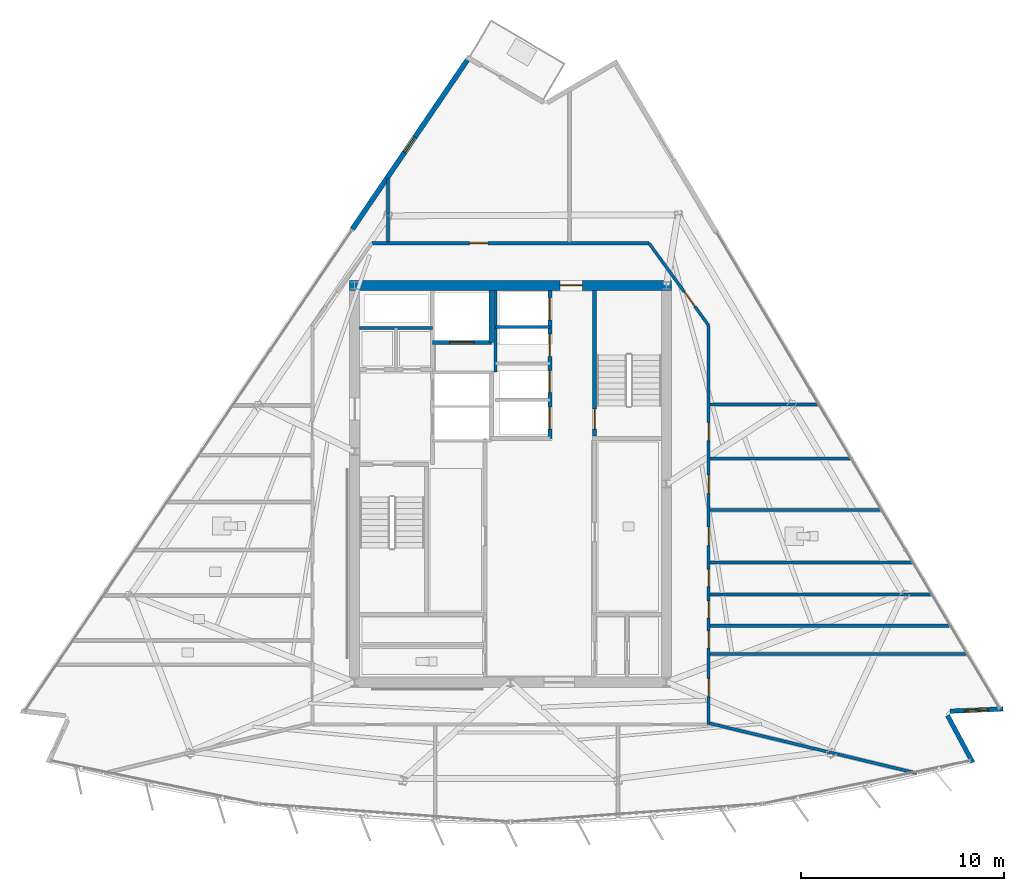
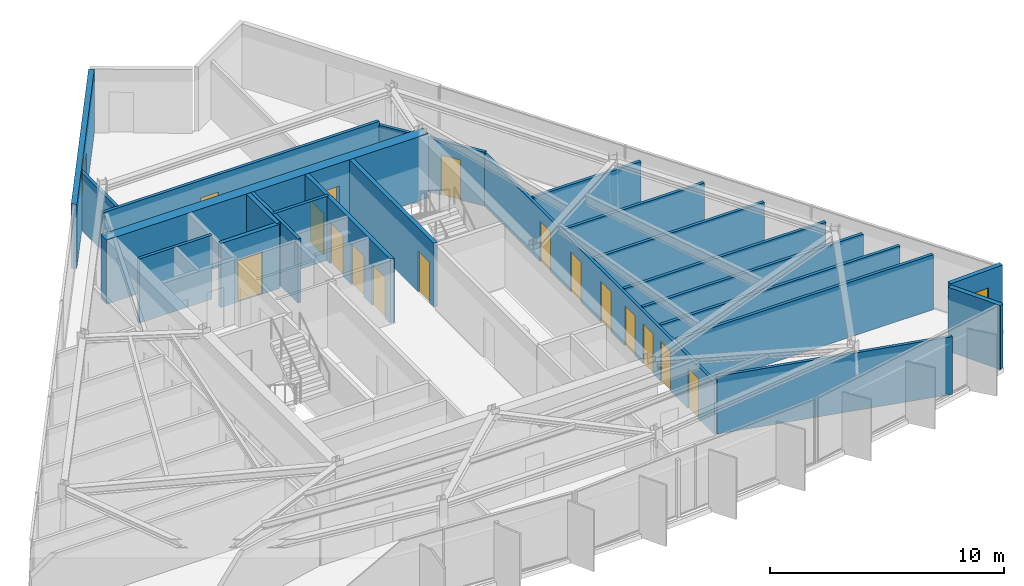
# One storey, part 8 of 13: 23 walls, 16 doors, 2 windows, 18 openings.
"""IFC4 building model written with IfcOpenShell, lengths in metres."""

from ifc_helpers import new_model, si_unit, direction, frame, frame_2d, origin, place, context, subcontext, project, spatial, rectangle, extrude, material, layer, layer_set, type_object, element, fill, save


model = new_model("IFC4")

# Units and contexts
model_context = context("Model", 3, precision=1e-05, world=origin(), true_north=direction((0.0, 1.0)))
body_context = subcontext(model_context, "Body", "Model", "MODEL_VIEW")
ifc_project = project(units=[si_unit("LENGTHUNIT", "METRE"), si_unit("AREAUNIT", "SQUARE_METRE"), si_unit("VOLUMEUNIT", "CUBIC_METRE"), si_unit("PLANEANGLEUNIT", "RADIAN"), si_unit("MASSUNIT", "GRAM", prefix="KILO")], contexts=[model_context])

# Site, building, storey
site_placement = place(None, origin())
site = spatial("IfcSite", under=ifc_project, at=site_placement, CompositionType="ELEMENT")
building_placement = place(site_placement, origin())
building = spatial("IfcBuilding", under=site, at=building_placement, Name="Savorim Split Tower", CompositionType="ELEMENT")
storey_placement = place(building_placement, frame((0.0, 0.0, 254.39990234375)))
storey = spatial("IfcBuildingStorey", under=building, at=storey_placement, Name="L67", CompositionType="ELEMENT", Elevation=254.39990234375)

# Wall, opening, door
ifc_material_1 = material(Name="Concrete C60/75", Category="concrete")
ifc_layer_1 = layer(ifc_material_1, 0.5)
ifc_layer_set_1 = layer_set([ifc_layer_1], Name="WAL-COR-SH500")
wall_type_1 = type_object("IfcWallType", Name="WAL-COR-SH500", PredefinedType="SHEAR", material=ifc_layer_set_1)
wall_1_placement = place(storey_placement, frame((7.949951171875, 10.199951171875, 0.0), z_axis=(0.0, 0.0, 1.0), x_axis=(-1.0, 0.0, 0.0)))
wall_1 = element("IfcWall", 1, at=wall_1_placement, inside=storey, type_object=wall_type_1, Name="L67 Offset Core North Shear Wall", PredefinedType="SHEAR", context=body_context, shape_type="SweptSolid", body=[
    extrude(rectangle(XDim=15.89990234375, YDim=0.5, at=frame_2d((7.949951171875, 0.0))), origin(), (0.0, 0.0, 1.0), 3.35009765625),
])
opening_1_placement = place(wall_1_placement, frame((4.39990234375, 0.0, 0.0)))
opening_1 = element("IfcOpeningElement", 2, at=opening_1_placement, cuts=wall_1, Name="Opening DI-03", PredefinedType="OPENING", context=body_context, shape_type="SweptSolid", body=[
    extrude(rectangle(XDim=1.10009765625, YDim=2.14990234375, at=frame_2d((0.550048828125, 1.074951171875))), frame((0.0, 0.260009765625, 0.0), z_axis=(0.0, -1.0, 0.0), x_axis=(1.0, 0.0, 0.0)), (0.0, 0.0, 1.0), 0.52001953125),
])
ifc_material_2 = material(Name="Timber Fire Door Leaf", Category="wood")
door_type_1 = type_object("IfcDoorType", Name="DOR-FIR-1100", OperationType="NOTDEFINED", PredefinedType="DOOR", material=ifc_material_2)
door_1_placement = place(opening_1_placement, origin())
door_1 = element("IfcDoor", 3, at=door_1_placement, inside=storey, type_object=door_type_1, Name="DOR-L67-COR-NLOB - L67 North Corridor Lobby Fire Door", OperationType="SINGLE_SWING_RIGHT", OverallHeight=2.14990234375, OverallWidth=1.10009765625, PredefinedType="DOOR", context=body_context, shape_type="SweptSolid", body=[
    extrude(rectangle(XDim=1.10009765625, YDim=2.14990234375, at=frame_2d((0.550048828125, 1.074951171875))), frame((0.0, 0.02490234375, 0.0), z_axis=(0.0, -1.0, 0.0), x_axis=(1.0, 0.0, 0.0)), (0.0, 0.0, 1.0), 0.050048828125),
])
fill(opening_1, door_1)

# Wall
ifc_material_3 = material(Name="Precast concrete C40/50", Category="concrete")
ifc_layer_2 = layer(ifc_material_3, 0.219970703125)
ifc_layer_set_2 = layer_set([ifc_layer_2], Name="WAL-EXT-CRN220")
wall_type_2 = type_object("IfcWallType", Name="WAL-EXT-CRN220", PredefinedType="SOLIDWALL", material=ifc_layer_set_2)
wall_2_placement = place(storey_placement, frame((21.58056640625, -11.03955078125, 0.0), z_axis=(0.0, 0.0, 1.0), x_axis=(0.472791303324, -0.881174434208, 0.0)))
element("IfcWall", 4, at=wall_2_placement, inside=storey, type_object=wall_type_2, Name="L67 Notched Corner Facade Wall SE1", PredefinedType="SOLIDWALL", context=body_context, shape_type="SweptSolid", body=[
    extrude(rectangle(XDim=2.626953125, YDim=0.219970703125, at=frame_2d((1.3134765625, 0.0))), origin(), (0.0, 0.0, 1.0), 3.35009765625),
])

# Wall, opening, window
wall_3_placement = place(storey_placement, frame((24.32421875, -10.71435546875, 0.0), z_axis=(0.0, 0.0, 1.0), x_axis=(-0.999095924753, -0.042512740932, 0.0)))
wall_3 = element("IfcWall", 5, at=wall_3_placement, inside=storey, type_object=wall_type_2, Name="L67 Notched Corner Facade Wall SE", PredefinedType="SOLIDWALL", context=body_context, shape_type="SweptSolid", body=[
    extrude(rectangle(XDim=2.62451171875, YDim=0.219970703125, at=frame_2d((1.312255859375, 0.0))), origin(), (0.0, 0.0, 1.0), 3.35009765625),
])
opening_2_placement = place(wall_3_placement, frame((0.712158203125, 0.0, 0.6201171875)))
opening_2 = element("IfcOpeningElement", 6, at=opening_2_placement, cuts=wall_3, Name="Opening WN-08", PredefinedType="OPENING", context=body_context, shape_type="SweptSolid", body=[
    extrude(rectangle(XDim=1.199951171875, YDim=1.800048828125, at=frame_2d((0.60009765625, 0.89990234375))), frame((0.0, 0.119873046875, 0.0), z_axis=(0.0, -1.0, 0.0), x_axis=(1.0, 0.0, 0.0)), (0.0, 0.0, 1.0), 0.239990234375),
])
ifc_material_4 = material(Name="Low-E Operable Double Glazing", Category="glass")
window_type_1 = type_object("IfcWindowType", Name="WIN-TWR-1200x1800", PartitioningType="SINGLE_PANEL", PredefinedType="WINDOW", material=ifc_material_4)
window_1_placement = place(opening_2_placement, origin())
window_1 = element("IfcWindow", 7, at=window_1_placement, inside=storey, type_object=window_type_1, Name="L67 Operable Corner Window SE", OverallHeight=1.800048828125, OverallWidth=1.199951171875, PartitioningType="SINGLE_PANEL", PredefinedType="WINDOW", context=body_context, shape_type="SweptSolid", body=[
    extrude(rectangle(XDim=1.199951171875, YDim=1.800048828125, at=frame_2d((0.60009765625, 0.89990234375))), frame((0.0, 0.030029296875, 0.0), z_axis=(0.0, -1.0, 0.0), x_axis=(1.0, 0.0, 0.0)), (0.0, 0.0, 1.0), 0.06005859375),
])
fill(opening_2, window_1)

ifc_layer_3 = layer(ifc_material_3, 0.25)
ifc_layer_set_3 = layer_set([ifc_layer_3], Name="WAL-EXT-SPN250")
wall_type_3 = type_object("IfcWallType", Name="WAL-EXT-SPN250", PredefinedType="SOLIDWALL", material=ifc_layer_set_3)
wall_4_placement = place(storey_placement, frame((-7.81689453125, 12.970947265625, 0.0), z_axis=(0.0, 0.0, 1.0), x_axis=(0.562474530687, 0.826814611826, 0.0)))
wall_4 = element("IfcWall", 8, at=wall_4_placement, inside=storey, type_object=wall_type_3, Name="L67 West Operable Window Pier", PredefinedType="SOLIDWALL", context=body_context, shape_type="SweptSolid", body=[
    extrude(rectangle(XDim=10.106689453125, YDim=0.25, at=frame_2d((5.05322265625, 0.0))), origin(), (0.0, 0.0, 1.0), 3.35009765625),
])
opening_3_placement = place(wall_4_placement, frame((4.603515625, 0.0, 0.6201171875)))
opening_3 = element("IfcOpeningElement", 9, at=opening_3_placement, cuts=wall_4, Name="Opening WN-10", PredefinedType="OPENING", context=body_context, shape_type="SweptSolid", body=[
    extrude(rectangle(XDim=0.89990234375, YDim=1.60009765625, at=frame_2d((0.449951171875, 0.800048828125))), frame((0.0, 0.135009765625, 0.0), z_axis=(0.0, -1.0, 0.0), x_axis=(1.0, 0.0, 0.0)), (0.0, 0.0, 1.0), 0.27001953125),
])
window_type_2 = type_object("IfcWindowType", Name="WIN-TWR-900x1600", PartitioningType="SINGLE_PANEL", PredefinedType="WINDOW", material=ifc_material_4)
window_2_placement = place(opening_3_placement, origin())
window_2 = element("IfcWindow", 10, at=window_2_placement, inside=storey, type_object=window_type_2, Name="L67 West Operable Ventilation Window", OverallHeight=1.60009765625, OverallWidth=0.89990234375, PartitioningType="SINGLE_PANEL", PredefinedType="WINDOW", context=body_context, shape_type="SweptSolid", body=[
    extrude(rectangle(XDim=0.89990234375, YDim=1.60009765625, at=frame_2d((0.449951171875, 0.800048828125))), frame((0.0, 0.030029296875, 0.0), z_axis=(0.0, -1.0, 0.0), x_axis=(1.0, 0.0, 0.0)), (0.0, 0.0, 1.0), 0.06005859375),
])
fill(opening_3, window_2)

# Wall, opening, door
ifc_material_5 = material(Name="Concrete C50/60", Category="concrete")
ifc_layer_4 = layer(ifc_material_5, 0.199951171875)
ifc_layer_set_4 = layer_set([ifc_layer_4], Name="WAL-INT-RC200")
wall_type_4 = type_object("IfcWallType", Name="WAL-INT-RC200", PredefinedType="SOLIDWALL", material=ifc_layer_set_4)
wall_5_placement = place(storey_placement, frame((4.14990234375, 2.75, 0.0), z_axis=(0.0, 0.0, 1.0), x_axis=(0.0, 1.0, 0.0)))
wall_5 = element("IfcWall", 11, at=wall_5_placement, inside=storey, type_object=wall_type_4, Name="L67 Structural Shaft Wall W-L67-CR07", PredefinedType="SOLIDWALL", context=body_context, shape_type="SweptSolid", body=[
    extrude(rectangle(XDim=7.199951171875, YDim=0.199951171875, at=frame_2d((3.60009765625, 0.0))), origin(), (0.0, 0.0, 1.0), 3.35009765625),
])
opening_4_placement = place(wall_5_placement, frame((0.35009765625, 0.0, 0.0)))
opening_4 = element("IfcOpeningElement", 12, at=opening_4_placement, cuts=wall_5, Name="Opening DI-04", PredefinedType="OPENING", context=body_context, shape_type="SweptSolid", body=[
    extrude(rectangle(XDim=1.0, YDim=2.14990234375, at=frame_2d((0.5, 1.074951171875))), frame((0.0, 0.10986328125, 0.0), z_axis=(0.0, -1.0, 0.0), x_axis=(1.0, 0.0, 0.0)), (0.0, 0.0, 1.0), 0.219970703125),
])
door_type_2 = type_object("IfcDoorType", Name="DOR-FIR-1000", OperationType="NOTDEFINED", PredefinedType="DOOR", material=ifc_material_2)
door_2_placement = place(opening_4_placement, origin())
door_2 = element("IfcDoor", 13, at=door_2_placement, inside=storey, type_object=door_type_2, Name="DR-L67-ST2 - L67 Stair ST-2 Enclosure Door", OperationType="SINGLE_SWING_RIGHT", OverallHeight=2.14990234375, OverallWidth=1.0, PredefinedType="DOOR", context=body_context, shape_type="SweptSolid", body=[
    extrude(rectangle(XDim=1.0, YDim=2.14990234375, at=frame_2d((0.5, 1.074951171875))), frame((0.0, 0.02490234375, 0.0), z_axis=(0.0, -1.0, 0.0), x_axis=(1.0, 0.0, 0.0)), (0.0, 0.0, 1.0), 0.050048828125),
])
fill(opening_4, door_2)

wall_6_placement = place(storey_placement, frame((-3.85009765625, 7.3798828125, 0.0), z_axis=(0.0, 0.0, 1.0), x_axis=(1.0, 0.0, 0.0)))
wall_6 = element("IfcWall", 14, at=wall_6_placement, inside=storey, type_object=wall_type_4, Name="L67 Partition W-L67-SVLS", PredefinedType="SOLIDWALL", context=body_context, shape_type="SweptSolid", body=[
    extrude(rectangle(XDim=2.900146484375, YDim=0.199951171875, at=frame_2d((1.4501953125, 0.0))), origin(), (0.0, 0.0, 1.0), 3.35009765625),
])
opening_5_placement = place(wall_6_placement, frame((0.85009765625, 0.0, 0.0)))
opening_5 = element("IfcOpeningElement", 15, at=opening_5_placement, cuts=wall_6, Name="Opening LD-SV", PredefinedType="OPENING", context=body_context, shape_type="SweptSolid", body=[
    extrude(rectangle(XDim=1.199951171875, YDim=2.199951171875, at=frame_2d((0.60009765625, 1.10009765625))), frame((0.0, 0.10986328125, 0.0), z_axis=(0.0, -1.0, 0.0), x_axis=(1.0, 0.0, 0.0)), (0.0, 0.0, 1.0), 0.219970703125),
])
ifc_material_6 = material(Name="Charcoal Anodised Aluminium", Category="aluminium")
door_type_3 = type_object("IfcDoorType", Name="DOR-SLD-SV1200", OperationType="NOTDEFINED", PredefinedType="DOOR", material=ifc_material_6)
door_3_placement = place(opening_5_placement, origin())
door_3 = element("IfcDoor", 16, at=door_3_placement, inside=storey, type_object=door_type_3, Name="DR-L67-LD-SVL1 - L67 Service Lift SVL-1 Sliding Landing Door", OperationType="DOUBLE_DOOR_SLIDING", OverallHeight=2.199951171875, OverallWidth=1.199951171875, PredefinedType="DOOR", context=body_context, shape_type="SweptSolid", body=[
    extrude(rectangle(XDim=1.199951171875, YDim=2.199951171875, at=frame_2d((0.60009765625, 1.10009765625))), frame((0.0, 0.02490234375, 0.0), z_axis=(0.0, -1.0, 0.0), x_axis=(1.0, 0.0, 0.0)), (0.0, 0.0, 1.0), 0.050048828125),
])
fill(opening_5, door_3)

# Wall
wall_7_placement = place(storey_placement, frame((-0.949951171875, 7.3798828125, 0.0), z_axis=(0.0, 0.0, 1.0), x_axis=(0.0, 1.0, 0.0)))
element("IfcWall", 17, at=wall_7_placement, inside=storey, type_object=wall_type_4, Name="L67 Partition W-L67-SVLE", PredefinedType="SOLIDWALL", context=body_context, shape_type="SweptSolid", body=[
    extrude(rectangle(XDim=2.565185546875, YDim=0.199951171875, at=frame_2d((1.28271484375, 0.0))), origin(), (0.0, 0.0, 1.0), 3.35009765625),
])

# Wall, openings, doors
wall_8_placement = place(storey_placement, frame((1.949951171875, 2.64990234375, 0.0), z_axis=(0.0, 0.0, 1.0), x_axis=(0.0, 1.0, 0.0)))
wall_8 = element("IfcWall", 18, at=wall_8_placement, inside=storey, type_object=wall_type_4, Name="L67 Partition W-L67-B3FRONT", PredefinedType="SOLIDWALL", context=body_context, shape_type="SweptSolid", body=[
    extrude(rectangle(XDim=7.295166015625, YDim=0.199951171875, at=frame_2d((3.6474609375, 0.0))), origin(), (0.0, 0.0, 1.0), 3.35009765625),
])
opening_6_placement = place(wall_8_placement, frame((0.449951171875, 0.0, 0.0)))
opening_6 = element("IfcOpeningElement", 19, at=opening_6_placement, cuts=wall_8, Name="Opening LD-03", PredefinedType="OPENING", context=body_context, shape_type="SweptSolid", body=[
    extrude(rectangle(XDim=1.10009765625, YDim=2.14990234375, at=frame_2d((0.550048828125, 1.074951171875))), frame((0.0, 0.10986328125, 0.0), z_axis=(0.0, -1.0, 0.0), x_axis=(1.0, 0.0, 0.0)), (0.0, 0.0, 1.0), 0.219970703125),
])
opening_7_placement = place(wall_8_placement, frame((2.25, 0.0, 0.0)))
opening_7 = element("IfcOpeningElement", 20, at=opening_7_placement, cuts=wall_8, Name="Opening LD-03", PredefinedType="OPENING", context=body_context, shape_type="SweptSolid", body=[
    extrude(rectangle(XDim=1.10009765625, YDim=2.14990234375, at=frame_2d((0.550048828125, 1.074951171875))), frame((0.0, 0.10986328125, 0.0), z_axis=(0.0, -1.0, 0.0), x_axis=(1.0, 0.0, 0.0)), (0.0, 0.0, 1.0), 0.219970703125),
])
opening_8_placement = place(wall_8_placement, frame((4.050048828125, 0.0, 0.0)))
opening_8 = element("IfcOpeningElement", 21, at=opening_8_placement, cuts=wall_8, Name="Opening LD-03", PredefinedType="OPENING", context=body_context, shape_type="SweptSolid", body=[
    extrude(rectangle(XDim=1.10009765625, YDim=2.14990234375, at=frame_2d((0.550048828125, 1.074951171875))), frame((0.0, 0.10986328125, 0.0), z_axis=(0.0, -1.0, 0.0), x_axis=(1.0, 0.0, 0.0)), (0.0, 0.0, 1.0), 0.219970703125),
])
opening_9_placement = place(wall_8_placement, frame((5.85009765625, 0.0, 0.0)))
opening_9 = element("IfcOpeningElement", 22, at=opening_9_placement, cuts=wall_8, Name="Opening LD-03", PredefinedType="OPENING", context=body_context, shape_type="SweptSolid", body=[
    extrude(rectangle(XDim=1.10009765625, YDim=2.14990234375, at=frame_2d((0.550048828125, 1.074951171875))), frame((0.0, 0.10986328125, 0.0), z_axis=(0.0, -1.0, 0.0), x_axis=(1.0, 0.0, 0.0)), (0.0, 0.0, 1.0), 0.219970703125),
])
door_type_4 = type_object("IfcDoorType", Name="DOR-SLD-LDH1100", OperationType="NOTDEFINED", PredefinedType="DOOR", material=ifc_material_6)
door_4_placement = place(opening_6_placement, origin())
door_4 = element("IfcDoor", 23, at=door_4_placement, inside=storey, type_object=door_type_4, Name="DR-L67-LD-PLH1 - L67 Lift PL-H1 Sliding Landing Door", OperationType="DOUBLE_DOOR_SLIDING", OverallHeight=2.14990234375, OverallWidth=1.10009765625, PredefinedType="DOOR", context=body_context, shape_type="SweptSolid", body=[
    extrude(rectangle(XDim=1.10009765625, YDim=2.14990234375, at=frame_2d((0.550048828125, 1.074951171875))), frame((0.0, 0.02490234375, 0.0), z_axis=(0.0, -1.0, 0.0), x_axis=(1.0, 0.0, 0.0)), (0.0, 0.0, 1.0), 0.050048828125),
])
fill(opening_6, door_4)
door_5_placement = place(opening_7_placement, origin())
door_5 = element("IfcDoor", 24, at=door_5_placement, inside=storey, type_object=door_type_4, Name="DR-L67-LD-PLH2 - L67 Lift PL-H2 Sliding Landing Door", OperationType="DOUBLE_DOOR_SLIDING", OverallHeight=2.14990234375, OverallWidth=1.10009765625, PredefinedType="DOOR", context=body_context, shape_type="SweptSolid", body=[
    extrude(rectangle(XDim=1.10009765625, YDim=2.14990234375, at=frame_2d((0.550048828125, 1.074951171875))), frame((0.0, 0.02490234375, 0.0), z_axis=(0.0, -1.0, 0.0), x_axis=(1.0, 0.0, 0.0)), (0.0, 0.0, 1.0), 0.050048828125),
])
fill(opening_7, door_5)
door_6_placement = place(opening_8_placement, origin())
door_6 = element("IfcDoor", 25, at=door_6_placement, inside=storey, type_object=door_type_4, Name="DR-L67-LD-PLH3 - L67 Lift PL-H3 Sliding Landing Door", OperationType="DOUBLE_DOOR_SLIDING", OverallHeight=2.14990234375, OverallWidth=1.10009765625, PredefinedType="DOOR", context=body_context, shape_type="SweptSolid", body=[
    extrude(rectangle(XDim=1.10009765625, YDim=2.14990234375, at=frame_2d((0.550048828125, 1.074951171875))), frame((0.0, 0.02490234375, 0.0), z_axis=(0.0, -1.0, 0.0), x_axis=(1.0, 0.0, 0.0)), (0.0, 0.0, 1.0), 0.050048828125),
])
fill(opening_8, door_6)
door_7_placement = place(opening_9_placement, origin())
door_7 = element("IfcDoor", 26, at=door_7_placement, inside=storey, type_object=door_type_4, Name="DR-L67-LD-PLH4 - L67 Lift PL-H4 Sliding Landing Door", OperationType="DOUBLE_DOOR_SLIDING", OverallHeight=2.14990234375, OverallWidth=1.10009765625, PredefinedType="DOOR", context=body_context, shape_type="SweptSolid", body=[
    extrude(rectangle(XDim=1.10009765625, YDim=2.14990234375, at=frame_2d((0.550048828125, 1.074951171875))), frame((0.0, 0.02490234375, 0.0), z_axis=(0.0, -1.0, 0.0), x_axis=(1.0, 0.0, 0.0)), (0.0, 0.0, 1.0), 0.050048828125),
])
fill(opening_9, door_7)

# Walls
ifc_material_7 = material(Name="Acoustic Gypsum Partition Board")
ifc_layer_5 = layer(ifc_material_7, 0.14990234375)
ifc_layer_set_5 = layer_set([ifc_layer_5], Name="WAL-PAR-150")
wall_type_5 = type_object("IfcWallType", Name="WAL-PAR-150", PredefinedType="PARTITIONING", material=ifc_layer_set_5)
wall_9_placement = place(storey_placement, frame((-7.445068359375, 8.10009765625, 0.0), z_axis=(0.0, 0.0, 1.0), x_axis=(1.0, 0.0, 0.0)))
element("IfcWall", 27, at=wall_9_placement, inside=storey, type_object=wall_type_5, Name="L67 Partition W-L67-CR05", PredefinedType="PARTITIONING", context=body_context, shape_type="SweptSolid", body=[
    extrude(rectangle(XDim=3.594970703125, YDim=0.14990234375, at=frame_2d((1.79736328125, 0.0))), origin(), (0.0, 0.0, 1.0), 3.35009765625),
])
wall_10_placement = place(storey_placement, frame((-0.75, 5.919921875, 0.0), z_axis=(0.0, 0.0, 1.0), x_axis=(0.0, 1.0, 0.0)))
element("IfcWall", 28, at=wall_10_placement, inside=storey, type_object=wall_type_5, Name="L67 Partition W-L67-B3WEST", PredefinedType="PARTITIONING", context=body_context, shape_type="SweptSolid", body=[
    extrude(rectangle(XDim=4.025146484375, YDim=0.14990234375, at=frame_2d((2.0126953125, 0.0))), origin(), (0.0, 0.0, 1.0), 3.35009765625),
])
wall_11_placement = place(storey_placement, frame((-0.75, 8.14990234375, 0.0), z_axis=(0.0, 0.0, 1.0), x_axis=(1.0, 0.0, 0.0)))
element("IfcWall", 29, at=wall_11_placement, inside=storey, type_object=wall_type_5, Name="L67 Partition W-L67-B3DIV3", PredefinedType="PARTITIONING", context=body_context, shape_type="SweptSolid", body=[
    extrude(rectangle(XDim=2.699951171875, YDim=0.14990234375, at=frame_2d((1.35009765625, 0.0))), origin(), (0.0, 0.0, 1.0), 3.35009765625),
])

# Wall, opening, door
wall_12_placement = place(storey_placement, frame((-6.8408203125, 12.280029296875, 0.0), z_axis=(0.0, 0.0, 1.0), x_axis=(1.0, 0.0, 0.0)))
wall_12 = element("IfcWall", 30, at=wall_12_placement, inside=storey, type_object=wall_type_5, Name="L67 Partition W-L67-COR-03", PredefinedType="PARTITIONING", context=body_context, shape_type="SweptSolid", body=[
    extrude(rectangle(XDim=13.681640625, YDim=0.14990234375, at=frame_2d((6.8408203125, 0.0))), origin(), (0.0, 0.0, 1.0), 3.01513671875),
])
opening_10_placement = place(wall_12_placement, frame((4.8251953125, 0.0, 0.0)))
opening_10 = element("IfcOpeningElement", 31, at=opening_10_placement, cuts=wall_12, Name="Opening DI-06", PredefinedType="OPENING", context=body_context, shape_type="SweptSolid", body=[
    extrude(rectangle(XDim=0.89990234375, YDim=2.10009765625, at=frame_2d((0.449951171875, 1.050048828125))), frame((0.0, 0.0849609375, 0.0), z_axis=(0.0, -1.0, 0.0), x_axis=(1.0, 0.0, 0.0)), (0.0, 0.0, 1.0), 0.169921875),
])
door_type_5 = type_object("IfcDoorType", Name="DOR-FIR-900", OperationType="NOTDEFINED", PredefinedType="DOOR", material=ifc_material_2)
door_8_placement = place(opening_10_placement, origin())
door_8 = element("IfcDoor", 32, at=door_8_placement, inside=storey, type_object=door_type_5, Name="DR-L67-RM17 - L67 Co-Working Commons Entry Door", OperationType="SINGLE_SWING_RIGHT", OverallHeight=2.10009765625, OverallWidth=0.89990234375, PredefinedType="DOOR", context=body_context, shape_type="SweptSolid", body=[
    extrude(rectangle(XDim=0.89990234375, YDim=2.10009765625, at=frame_2d((0.449951171875, 1.050048828125))), frame((0.0, 0.02490234375, 0.0), z_axis=(0.0, -1.0, 0.0), x_axis=(1.0, 0.0, 0.0)), (0.0, 0.0, 1.0), 0.050048828125),
])
fill(opening_10, door_8)

wall_13_placement = place(storey_placement, frame((6.8408203125, 12.280029296875, 0.0), z_axis=(0.0, 0.0, 1.0), x_axis=(0.586956386413, -0.809618552436, 0.0)))
wall_13 = element("IfcWall", 33, at=wall_13_placement, inside=storey, type_object=wall_type_5, Name="L67 Partition W-L67-COR-04", PredefinedType="PARTITIONING", context=body_context, shape_type="SweptSolid", body=[
    extrude(rectangle(XDim=5.007568359375, YDim=0.14990234375, at=frame_2d((2.50390625, 0.0))), origin(), (0.0, 0.0, 1.0), 2.8251953125),
])
opening_11_placement = place(wall_13_placement, frame((2.95361328125, 0.0, 0.0)))
opening_11 = element("IfcOpeningElement", 34, at=opening_11_placement, cuts=wall_13, Name="Opening DI-06", PredefinedType="OPENING", context=body_context, shape_type="SweptSolid", body=[
    extrude(rectangle(XDim=0.89990234375, YDim=2.10009765625, at=frame_2d((0.449951171875, 1.050048828125))), frame((0.0, 0.0849609375, 0.0), z_axis=(0.0, -1.0, 0.0), x_axis=(1.0, 0.0, 0.0)), (0.0, 0.0, 1.0), 0.169921875),
])
door_9_placement = place(opening_11_placement, origin())
door_9 = element("IfcDoor", 35, at=door_9_placement, inside=storey, type_object=door_type_5, Name="DR-L67-RM16 - L67 Maker Workshop Entry Door", OperationType="SINGLE_SWING_LEFT", OverallHeight=2.10009765625, OverallWidth=0.89990234375, PredefinedType="DOOR", context=body_context, shape_type="SweptSolid", body=[
    extrude(rectangle(XDim=0.89990234375, YDim=2.10009765625, at=frame_2d((0.449951171875, 1.050048828125))), frame((0.0, 0.02490234375, 0.0), z_axis=(0.0, -1.0, 0.0), x_axis=(1.0, 0.0, 0.0)), (0.0, 0.0, 1.0), 0.050048828125),
])
fill(opening_11, door_9)

# Wall, openings, doors
wall_14_placement = place(storey_placement, frame((9.780029296875, 8.225830078125, 0.0), z_axis=(0.0, 0.0, 1.0), x_axis=(0.0, -1.0, 0.0)))
wall_14 = element("IfcWall", 36, at=wall_14_placement, inside=storey, type_object=wall_type_5, Name="L67 Partition W-L67-COR-05", PredefinedType="PARTITIONING", context=body_context, shape_type="SweptSolid", body=[
    extrude(rectangle(XDim=19.705810546875, YDim=0.14990234375, at=frame_2d((9.85302734375, 0.0))), origin(), (0.0, 0.0, 1.0), 2.72509765625),
])
opening_12_placement = place(wall_14_placement, frame((17.431640625, 0.0, 0.0)))
opening_12 = element("IfcOpeningElement", 37, at=opening_12_placement, cuts=wall_14, Name="Opening DI-06", PredefinedType="OPENING", context=body_context, shape_type="SweptSolid", body=[
    extrude(rectangle(XDim=0.89990234375, YDim=2.10009765625, at=frame_2d((0.449951171875, 1.050048828125))), frame((0.0, 0.0849609375, 0.0), z_axis=(0.0, -1.0, 0.0), x_axis=(1.0, 0.0, 0.0)), (0.0, 0.0, 1.0), 0.169921875),
])
opening_13_placement = place(wall_14_placement, frame((15.083984375, 0.0, 0.0)))
opening_13 = element("IfcOpeningElement", 38, at=opening_13_placement, cuts=wall_14, Name="Opening DI-13", PredefinedType="OPENING", context=body_context, shape_type="SweptSolid", body=[
    extrude(rectangle(XDim=0.85009765625, YDim=2.10009765625, at=frame_2d((0.425048828125, 1.050048828125))), frame((0.0, 0.0849609375, 0.0), z_axis=(0.0, -1.0, 0.0), x_axis=(1.0, 0.0, 0.0)), (0.0, 0.0, 1.0), 0.169921875),
])
opening_14_placement = place(wall_14_placement, frame((13.607666015625, 0.0, 0.0)))
opening_14 = element("IfcOpeningElement", 39, at=opening_14_placement, cuts=wall_14, Name="Opening DI-13", PredefinedType="OPENING", context=body_context, shape_type="SweptSolid", body=[
    extrude(rectangle(XDim=0.85009765625, YDim=2.10009765625, at=frame_2d((0.425048828125, 1.050048828125))), frame((0.0, 0.0849609375, 0.0), z_axis=(0.0, -1.0, 0.0), x_axis=(1.0, 0.0, 0.0)), (0.0, 0.0, 1.0), 0.169921875),
])
opening_15_placement = place(wall_14_placement, frame((12.047119140625, 0.0, 0.0)))
opening_15 = element("IfcOpeningElement", 40, at=opening_15_placement, cuts=wall_14, Name="Opening DI-13", PredefinedType="OPENING", context=body_context, shape_type="SweptSolid", body=[
    extrude(rectangle(XDim=0.85009765625, YDim=2.10009765625, at=frame_2d((0.425048828125, 1.050048828125))), frame((0.0, 0.0849609375, 0.0), z_axis=(0.0, -1.0, 0.0), x_axis=(1.0, 0.0, 0.0)), (0.0, 0.0, 1.0), 0.169921875),
])
opening_16_placement = place(wall_14_placement, frame((9.961181640625, 0.0, 0.0)))
opening_16 = element("IfcOpeningElement", 41, at=opening_16_placement, cuts=wall_14, Name="Opening DI-11", PredefinedType="OPENING", context=body_context, shape_type="SweptSolid", body=[
    extrude(rectangle(XDim=0.89990234375, YDim=2.10009765625, at=frame_2d((0.449951171875, 1.050048828125))), frame((0.0, 0.0849609375, 0.0), z_axis=(0.0, -1.0, 0.0), x_axis=(1.0, 0.0, 0.0)), (0.0, 0.0, 1.0), 0.169921875),
])
opening_17_placement = place(wall_14_placement, frame((7.3974609375, 0.0, 0.0)))
opening_17 = element("IfcOpeningElement", 42, at=opening_17_placement, cuts=wall_14, Name="Opening DI-06", PredefinedType="OPENING", context=body_context, shape_type="SweptSolid", body=[
    extrude(rectangle(XDim=0.89990234375, YDim=2.10009765625, at=frame_2d((0.449951171875, 1.050048828125))), frame((0.0, 0.0849609375, 0.0), z_axis=(0.0, -1.0, 0.0), x_axis=(1.0, 0.0, 0.0)), (0.0, 0.0, 1.0), 0.169921875),
])
opening_18_placement = place(wall_14_placement, frame((4.79736328125, 0.0, 0.0)))
opening_18 = element("IfcOpeningElement", 43, at=opening_18_placement, cuts=wall_14, Name="Opening DI-06", PredefinedType="OPENING", context=body_context, shape_type="SweptSolid", body=[
    extrude(rectangle(XDim=0.89990234375, YDim=2.10009765625, at=frame_2d((0.449951171875, 1.050048828125))), frame((0.0, 0.0849609375, 0.0), z_axis=(0.0, -1.0, 0.0), x_axis=(1.0, 0.0, 0.0)), (0.0, 0.0, 1.0), 0.169921875),
])
door_type_6 = type_object("IfcDoorType", Name="DOR-FIR-850", OperationType="NOTDEFINED", PredefinedType="DOOR", material=ifc_material_2)
door_10_placement = place(opening_13_placement, origin())
door_10 = element("IfcDoor", 44, at=door_10_placement, inside=storey, type_object=door_type_6, Name="DR-L67-RM10 - L67 Co-Living Bedroom Entry Door", OperationType="SINGLE_SWING_LEFT", OverallHeight=2.10009765625, OverallWidth=0.85009765625, PredefinedType="DOOR", context=body_context, shape_type="SweptSolid", body=[
    extrude(rectangle(XDim=0.85009765625, YDim=2.10009765625, at=frame_2d((0.425048828125, 1.050048828125))), frame((0.0, 0.02490234375, 0.0), z_axis=(0.0, -1.0, 0.0), x_axis=(1.0, 0.0, 0.0)), (0.0, 0.0, 1.0), 0.050048828125),
])
fill(opening_13, door_10)
door_11_placement = place(opening_14_placement, origin())
door_11 = element("IfcDoor", 45, at=door_11_placement, inside=storey, type_object=door_type_6, Name="DR-L67-RM11 - L67 Quiet Study Room Entry Door", OperationType="SINGLE_SWING_RIGHT", OverallHeight=2.10009765625, OverallWidth=0.85009765625, PredefinedType="DOOR", context=body_context, shape_type="SweptSolid", body=[
    extrude(rectangle(XDim=0.85009765625, YDim=2.10009765625, at=frame_2d((0.425048828125, 1.050048828125))), frame((0.0, 0.02490234375, 0.0), z_axis=(0.0, -1.0, 0.0), x_axis=(1.0, 0.0, 0.0)), (0.0, 0.0, 1.0), 0.050048828125),
])
fill(opening_14, door_11)
door_12_placement = place(opening_15_placement, origin())
door_12 = element("IfcDoor", 46, at=door_12_placement, inside=storey, type_object=door_type_6, Name="DR-L67-RM12 - L67 Quiet Study Room Entry Door", OperationType="SINGLE_SWING_LEFT", OverallHeight=2.10009765625, OverallWidth=0.85009765625, PredefinedType="DOOR", context=body_context, shape_type="SweptSolid", body=[
    extrude(rectangle(XDim=0.85009765625, YDim=2.10009765625, at=frame_2d((0.425048828125, 1.050048828125))), frame((0.0, 0.02490234375, 0.0), z_axis=(0.0, -1.0, 0.0), x_axis=(1.0, 0.0, 0.0)), (0.0, 0.0, 1.0), 0.050048828125),
])
fill(opening_15, door_12)
door_13_placement = place(opening_12_placement, origin())
door_13 = element("IfcDoor", 47, at=door_13_placement, inside=storey, type_object=door_type_5, Name="DR-L67-RM09 - L67 Co-Working Commons Entry Door", OperationType="SINGLE_SWING_RIGHT", OverallHeight=2.10009765625, OverallWidth=0.89990234375, PredefinedType="DOOR", context=body_context, shape_type="SweptSolid", body=[
    extrude(rectangle(XDim=0.89990234375, YDim=2.10009765625, at=frame_2d((0.449951171875, 1.050048828125))), frame((0.0, 0.02490234375, 0.0), z_axis=(0.0, -1.0, 0.0), x_axis=(1.0, 0.0, 0.0)), (0.0, 0.0, 1.0), 0.050048828125),
])
fill(opening_12, door_13)
door_14_placement = place(opening_17_placement, origin())
door_14 = element("IfcDoor", 48, at=door_14_placement, inside=storey, type_object=door_type_5, Name="DR-L67-RM14 - L67 Co-Living Bedroom Entry Door", OperationType="SINGLE_SWING_LEFT", OverallHeight=2.10009765625, OverallWidth=0.89990234375, PredefinedType="DOOR", context=body_context, shape_type="SweptSolid", body=[
    extrude(rectangle(XDim=0.89990234375, YDim=2.10009765625, at=frame_2d((0.449951171875, 1.050048828125))), frame((0.0, 0.02490234375, 0.0), z_axis=(0.0, -1.0, 0.0), x_axis=(1.0, 0.0, 0.0)), (0.0, 0.0, 1.0), 0.050048828125),
])
fill(opening_17, door_14)
door_15_placement = place(opening_18_placement, origin())
door_15 = element("IfcDoor", 49, at=door_15_placement, inside=storey, type_object=door_type_5, Name="DR-L67-RM15 - L67 Quiet Study Room Entry Door", OperationType="SINGLE_SWING_RIGHT", OverallHeight=2.10009765625, OverallWidth=0.89990234375, PredefinedType="DOOR", context=body_context, shape_type="SweptSolid", body=[
    extrude(rectangle(XDim=0.89990234375, YDim=2.10009765625, at=frame_2d((0.449951171875, 1.050048828125))), frame((0.0, 0.02490234375, 0.0), z_axis=(0.0, -1.0, 0.0), x_axis=(1.0, 0.0, 0.0)), (0.0, 0.0, 1.0), 0.050048828125),
])
fill(opening_18, door_15)
ifc_material_8 = material(Name="Oak Veneer Acoustic Door")
door_type_7 = type_object("IfcDoorType", Name="DOR-WC-900", OperationType="NOTDEFINED", PredefinedType="DOOR", material=ifc_material_8)
door_16_placement = place(opening_16_placement, origin())
door_16 = element("IfcDoor", 50, at=door_16_placement, inside=storey, type_object=door_type_7, Name="DR-L67-RM13 - L67 Shared Bathroom Entry Door", OperationType="SINGLE_SWING_RIGHT", OverallHeight=2.10009765625, OverallWidth=0.89990234375, PredefinedType="DOOR", context=body_context, shape_type="SweptSolid", body=[
    extrude(rectangle(XDim=0.89990234375, YDim=2.10009765625, at=frame_2d((0.449951171875, 1.050048828125))), frame((0.0, 0.02490234375, 0.0), z_axis=(0.0, -1.0, 0.0), x_axis=(1.0, 0.0, 0.0)), (0.0, 0.0, 1.0), 0.050048828125),
])
fill(opening_16, door_16)

# Walls
wall_15_placement = place(storey_placement, frame((9.8369140625, -11.42724609375, 0.0), z_axis=(0.0, 0.0, 1.0), x_axis=(0.972169477142, -0.234278696671, 0.0)))
element("IfcWall", 51, at=wall_15_placement, inside=storey, type_object=wall_type_5, Name="L67 Partition W-L67-PRAD04", PredefinedType="PARTITIONING", context=body_context, shape_type="SweptSolid", body=[
    extrude(rectangle(XDim=10.509521484375, YDim=0.14990234375, at=frame_2d((5.2548828125, 0.0))), origin(), (0.0, 0.0, 1.0), 3.01513671875),
])
wall_16_placement = place(storey_placement, frame((9.840087890625, -5.05712890625, 0.0), z_axis=(0.0, 0.0, 1.0), x_axis=(1.0, 0.0, 0.0)))
element("IfcWall", 52, at=wall_16_placement, inside=storey, type_object=wall_type_5, Name="L67 Partition W-L67-PRAD05", PredefinedType="PARTITIONING", context=body_context, shape_type="SweptSolid", body=[
    extrude(rectangle(XDim=10.897216796875, YDim=0.14990234375, at=frame_2d((5.44873046875, 0.0))), origin(), (0.0, 0.0, 1.0), 2.775146484375),
])
wall_17_placement = place(storey_placement, frame((9.840087890625, 4.315185546875, 0.0), z_axis=(0.0, 0.0, 1.0), x_axis=(1.0, 0.0, 0.0)))
element("IfcWall", 53, at=wall_17_placement, inside=storey, type_object=wall_type_5, Name="L67 Partition W-L67-PRAD06", PredefinedType="PARTITIONING", context=body_context, shape_type="SweptSolid", body=[
    extrude(rectangle(XDim=5.32421875, YDim=0.14990234375, at=frame_2d((2.662109375, 0.0))), origin(), (0.0, 0.0, 1.0), 2.8251953125),
])
wall_18_placement = place(storey_placement, frame((-6.04296875, 12.340087890625, 0.0), z_axis=(0.0, 0.0, 1.0), x_axis=(0.0, 1.0, 0.0)))
element("IfcWall", 54, at=wall_18_placement, inside=storey, type_object=wall_type_5, Name="L67 Partition W-L67-PRAD08", PredefinedType="PARTITIONING", context=body_context, shape_type="SweptSolid", body=[
    extrude(rectangle(XDim=3.14990234375, YDim=0.14990234375, at=frame_2d((1.574951171875, 0.0))), origin(), (0.0, 0.0, 1.0), 3.01513671875),
])
wall_19_placement = place(storey_placement, frame((9.840087890625, -8.009765625, 0.0), z_axis=(0.0, 0.0, 1.0), x_axis=(1.0, 0.0, 0.0)))
element("IfcWall", 55, at=wall_19_placement, inside=storey, type_object=wall_type_5, Name="L67 Partition W-L67-SUB03", PredefinedType="PARTITIONING", context=body_context, shape_type="SweptSolid", body=[
    extrude(rectangle(XDim=12.65283203125, YDim=0.14990234375, at=frame_2d((6.326416015625, 0.0))), origin(), (0.0, 0.0, 1.0), 2.875),
])
wall_20_placement = place(storey_placement, frame((9.840087890625, -0.885009765625, 0.0), z_axis=(0.0, 0.0, 1.0), x_axis=(1.0, 0.0, 0.0)))
element("IfcWall", 56, at=wall_20_placement, inside=storey, type_object=wall_type_5, Name="L67 Partition W-L67-SUB04", PredefinedType="PARTITIONING", context=body_context, shape_type="SweptSolid", body=[
    extrude(rectangle(XDim=8.41650390625, YDim=0.14990234375, at=frame_2d((4.208251953125, 0.0))), origin(), (0.0, 0.0, 1.0), 2.775146484375),
])
wall_21_placement = place(storey_placement, frame((9.840087890625, -6.606689453125, 0.0), z_axis=(0.0, 0.0, 1.0), x_axis=(1.0, 0.0, 0.0)))
element("IfcWall", 57, at=wall_21_placement, inside=storey, type_object=wall_type_5, Name="L67 Partition W-L67-SUB08", PredefinedType="PARTITIONING", context=body_context, shape_type="SweptSolid", body=[
    extrude(rectangle(XDim=11.818603515625, YDim=0.14990234375, at=frame_2d((5.9091796875, 0.0))), origin(), (0.0, 0.0, 1.0), 2.775146484375),
])
wall_22_placement = place(storey_placement, frame((9.840087890625, -3.485107421875, 0.0), z_axis=(0.0, 0.0, 1.0), x_axis=(1.0, 0.0, 0.0)))
element("IfcWall", 58, at=wall_22_placement, inside=storey, type_object=wall_type_5, Name="L67 Partition W-L67-SUB09", PredefinedType="PARTITIONING", context=body_context, shape_type="SweptSolid", body=[
    extrude(rectangle(XDim=9.96240234375, YDim=0.14990234375, at=frame_2d((4.981201171875, 0.0))), origin(), (0.0, 0.0, 1.0), 2.775146484375),
])
wall_23_placement = place(storey_placement, frame((9.840087890625, 1.641845703125, 0.0), z_axis=(0.0, 0.0, 1.0), x_axis=(1.0, 0.0, 0.0)))
element("IfcWall", 59, at=wall_23_placement, inside=storey, type_object=wall_type_5, Name="L67 Partition W-L67-SUB10", PredefinedType="PARTITIONING", context=body_context, shape_type="SweptSolid", body=[
    extrude(rectangle(XDim=6.913818359375, YDim=0.14990234375, at=frame_2d((3.45703125, 0.0))), origin(), (0.0, 0.0, 1.0), 2.775146484375),
])

save(model, "model.ifc")
